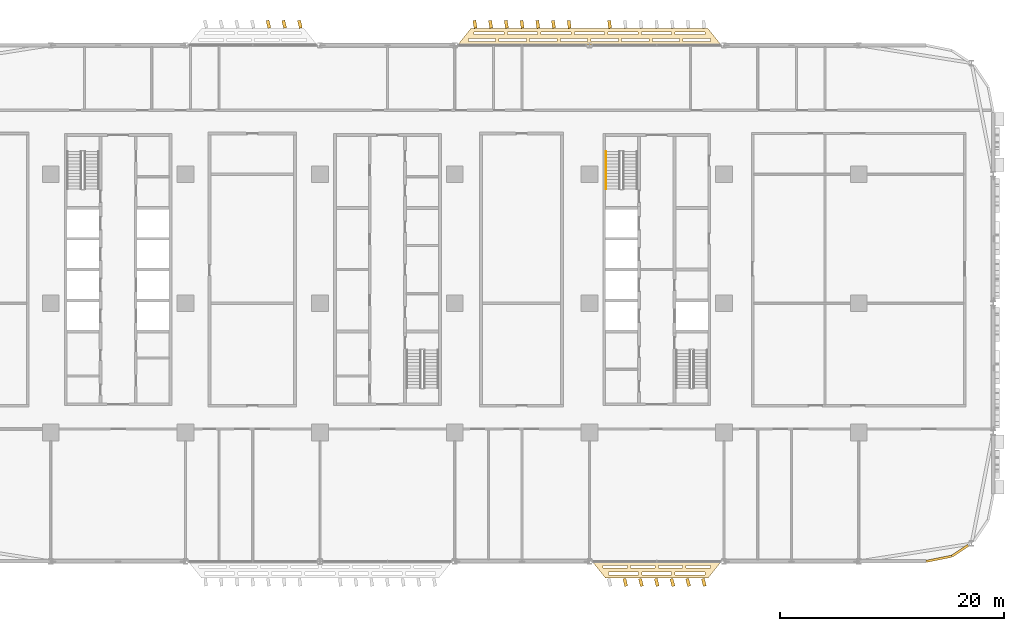
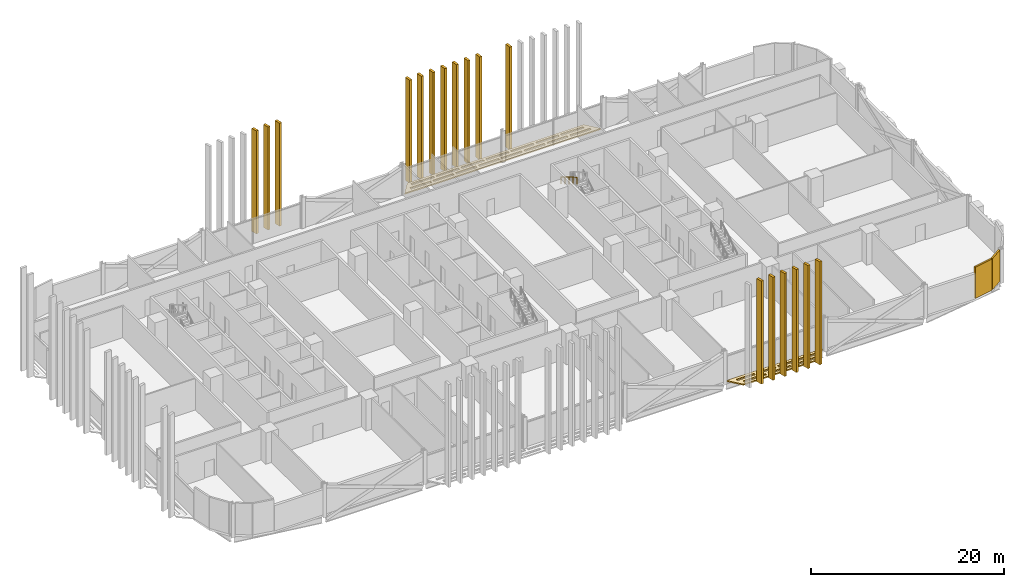
# One storey, part 27 of 29: 21 coverings, 1 railing.
"""IFC4 building model written with IfcOpenShell, lengths in metres."""

from ifc_helpers import new_model, si_unit, direction, frame, origin, origin_2d, place, context, subcontext, project, spatial, polyline, rectangle, circle, outline, extrude, material, layer, layer_set, type_object, element, save


model = new_model("IFC4")

# Units and contexts
model_context = context("Model", 3, precision=1e-05, world=origin(), true_north=direction((0.0, 1.0)))
body_context = subcontext(model_context, "Body", "Model", "MODEL_VIEW")
ifc_project = project(units=[si_unit("LENGTHUNIT", "METRE"), si_unit("AREAUNIT", "SQUARE_METRE"), si_unit("VOLUMEUNIT", "CUBIC_METRE"), si_unit("PLANEANGLEUNIT", "RADIAN"), si_unit("MASSUNIT", "GRAM", prefix="KILO")], contexts=[model_context])

# Site, building, storey
site_placement = place(None, origin())
site = spatial("IfcSite", under=ifc_project, at=site_placement, CompositionType="ELEMENT")
building_placement = place(site_placement, origin())
building = spatial("IfcBuilding", under=site, at=building_placement, Name="Mahtab Terrace Research Tower", CompositionType="ELEMENT")
storey_placement = place(building_placement, frame((0.0, 0.0, 63.199951171875)))
storey = spatial("IfcBuildingStorey", under=building, at=storey_placement, Name="L14", CompositionType="ELEMENT", Elevation=63.199951171875)

# Coverings
ifc_material_1 = material(Name="Black aluminium cladding panel", Category="aluminium")
ifc_layer_1 = layer(ifc_material_1, 0.199951171875)
ifc_layer_set_1 = layer_set([ifc_layer_1], Name="Black metal corner cladding 200")
covering_type_1 = type_object("IfcCoveringType", Name="Black metal corner cladding 200", PredefinedType="CLADDING", material=ifc_layer_set_1)
covering_1_placement = place(storey_placement, frame((49.14794921875, -22.771484375, 0.0), z_axis=(0.0, 0.0, 1.0), x_axis=(0.980760981187, 0.195212442692, 0.0)))
element("IfcCovering", 1, at=covering_1_placement, inside=storey, type_object=covering_type_1, Name="Corner cladding L14 31", PredefinedType="CLADDING", context=body_context, shape_type="SweptSolid", body=[
    extrude(rectangle(XDim=2.30126953125, YDim=0.199951171875, at=origin_2d()), origin(), (0.0, 0.0, 1.0), 3.9599609375),
])
covering_2_placement = place(storey_placement, frame((51.0380859375, -22.047607421875, 0.0), z_axis=(0.0, 0.0, 1.0), x_axis=(0.831655794326, 0.555291490808, 0.0)))
element("IfcCovering", 2, at=covering_2_placement, inside=storey, type_object=covering_type_1, Name="Corner cladding L14 32", PredefinedType="CLADDING", context=body_context, shape_type="SweptSolid", body=[
    extrude(rectangle(XDim=1.74462890625, YDim=0.199951171875, at=origin_2d()), origin(), (0.0, 0.0, 1.0), 3.9599609375),
])
ifc_material_2 = material(Name="Black anodised aluminium", Category="aluminium")
ifc_layer_2 = layer(ifc_material_2, 0.14990234375)
ifc_layer_set_2 = layer_set([ifc_layer_2], Name="Horizontal sunshade band")
covering_type_2 = type_object("IfcCoveringType", Name="Horizontal sunshade band", PredefinedType="CLADDING", material=ifc_layer_set_2)
covering_3_placement = place(storey_placement, frame((0.0, 0.0, -0.14990234375)))
element("IfcCovering", 3, at=covering_3_placement, inside=storey, type_object=covering_type_2, Name="Sunshade band L14 5", PredefinedType="CLADDING", context=body_context, shape_type="SweptSolid", body=[
    extrude(outline(polyline([(29.761962890625, 23.0), (6.238037109375, 23.0), (7.43798828125, 24.5), (28.56201171875, 24.5), (29.761962890625, 23.0)]), holes=[polyline([(28.781982421875, 23.35009765625), (26.34912109375, 23.35009765625), (26.34912109375, 23.60009765625), (28.781982421875, 23.60009765625), (28.781982421875, 23.35009765625)]), polyline([(26.049072265625, 23.35009765625), (23.615966796875, 23.35009765625), (23.615966796875, 23.60009765625), (26.049072265625, 23.60009765625), (26.049072265625, 23.35009765625)]), polyline([(23.31591796875, 23.35009765625), (20.883056640625, 23.35009765625), (20.883056640625, 23.60009765625), (23.31591796875, 23.60009765625), (23.31591796875, 23.35009765625)]), polyline([(20.5830078125, 23.35009765625), (18.14990234375, 23.35009765625), (18.14990234375, 23.60009765625), (20.5830078125, 23.60009765625), (20.5830078125, 23.35009765625)]), polyline([(17.85009765625, 23.35009765625), (15.4169921875, 23.35009765625), (15.4169921875, 23.60009765625), (17.85009765625, 23.60009765625), (17.85009765625, 23.35009765625)]), polyline([(15.116943359375, 23.35009765625), (12.68408203125, 23.35009765625), (12.68408203125, 23.60009765625), (15.116943359375, 23.60009765625), (15.116943359375, 23.35009765625)]), polyline([(12.384033203125, 23.35009765625), (9.950927734375, 23.35009765625), (9.950927734375, 23.60009765625), (12.384033203125, 23.60009765625), (12.384033203125, 23.35009765625)]), polyline([(9.65087890625, 23.35009765625), (7.218017578125, 23.35009765625), (7.218017578125, 23.60009765625), (9.65087890625, 23.60009765625), (9.65087890625, 23.35009765625)]), polyline([(28.302001953125, 23.949951171875), (25.615966796875, 23.949951171875), (25.615966796875, 24.199951171875), (28.302001953125, 24.199951171875), (28.302001953125, 23.949951171875)]), polyline([(25.31591796875, 23.949951171875), (22.62890625, 23.949951171875), (22.62890625, 24.199951171875), (25.31591796875, 24.199951171875), (25.31591796875, 23.949951171875)]), polyline([(22.3291015625, 23.949951171875), (19.64306640625, 23.949951171875), (19.64306640625, 24.199951171875), (22.3291015625, 24.199951171875), (22.3291015625, 23.949951171875)]), polyline([(19.343017578125, 23.949951171875), (16.656982421875, 23.949951171875), (16.656982421875, 24.199951171875), (19.343017578125, 24.199951171875), (19.343017578125, 23.949951171875)]), polyline([(16.35693359375, 23.949951171875), (13.6708984375, 23.949951171875), (13.6708984375, 24.199951171875), (16.35693359375, 24.199951171875), (16.35693359375, 23.949951171875)]), polyline([(13.37109375, 23.949951171875), (10.68408203125, 23.949951171875), (10.68408203125, 24.199951171875), (13.37109375, 24.199951171875), (13.37109375, 23.949951171875)]), polyline([(10.384033203125, 23.949951171875), (7.697998046875, 23.949951171875), (7.697998046875, 24.199951171875), (10.384033203125, 24.199951171875), (10.384033203125, 23.949951171875)])]), origin(), (0.0, 0.0, 1.0), 0.14990234375),
])
covering_4_placement = place(storey_placement, frame((0.0, 0.0, -0.14990234375)))
element("IfcCovering", 4, at=covering_4_placement, inside=storey, type_object=covering_type_2, Name="Sunshade band L14 28", PredefinedType="CLADDING", context=body_context, shape_type="SweptSolid", body=[
    extrude(outline(polyline([(18.238037109375, -23.0), (29.761962890625, -23.0), (28.56201171875, -24.5), (19.43798828125, -24.5), (18.238037109375, -23.0)]), holes=[polyline([(19.218017578125, -23.35009765625), (21.384033203125, -23.35009765625), (21.384033203125, -23.60009765625), (19.218017578125, -23.60009765625), (19.218017578125, -23.35009765625)]), polyline([(21.68408203125, -23.35009765625), (23.85009765625, -23.35009765625), (23.85009765625, -23.60009765625), (21.68408203125, -23.60009765625), (21.68408203125, -23.35009765625)]), polyline([(24.14990234375, -23.35009765625), (26.31591796875, -23.35009765625), (26.31591796875, -23.60009765625), (24.14990234375, -23.60009765625), (24.14990234375, -23.35009765625)]), polyline([(26.615966796875, -23.35009765625), (28.781982421875, -23.35009765625), (28.781982421875, -23.60009765625), (26.615966796875, -23.60009765625), (26.615966796875, -23.35009765625)]), polyline([(19.697998046875, -23.949951171875), (22.365966796875, -23.949951171875), (22.365966796875, -24.199951171875), (19.697998046875, -24.199951171875), (19.697998046875, -23.949951171875)]), polyline([(22.666015625, -23.949951171875), (25.333984375, -23.949951171875), (25.333984375, -24.199951171875), (22.666015625, -24.199951171875), (22.666015625, -23.949951171875)]), polyline([(25.634033203125, -23.949951171875), (28.302001953125, -23.949951171875), (28.302001953125, -24.199951171875), (25.634033203125, -24.199951171875), (25.634033203125, -23.949951171875)])]), origin(), (0.0, 0.0, 1.0), 0.14990234375),
])

# Railing
ifc_material_3 = material(Name="Stainless steel AISI 304", Category="steel")
railing_type = type_object("IfcRailingType", Name="Stair handrail 900", PredefinedType="HANDRAIL", material=ifc_material_3)
railing_placement = place(storey_placement, frame((19.5, 13.534912109375, 2.3154296875)))
element("IfcRailing", 5, at=railing_placement, inside=storey, type_object=railing_type, Name="L14 ST3 stair handrail 2", PredefinedType="HANDRAIL", context=body_context, shape_type="SweptSolid", body=[
    extrude(circle(Radius=0.02392578125, at=origin_2d()), frame((0.0, 0.0, 0.8759765625), z_axis=(0.0, -0.861011212953, 0.508585972249), x_axis=(1.0, 0.0, 0.0)), (0.0, 0.0, 1.0), 3.90234375),
    extrude(circle(Radius=0.02099609375, at=origin_2d()), origin(), (0.0, 0.0, 1.0), 0.851806640625),
    extrude(circle(Radius=0.02099609375, at=origin_2d()), frame((0.0, -0.83984375, 0.49609375)), (0.0, 0.0, 1.0), 0.851806640625),
    extrude(circle(Radius=0.02099609375, at=origin_2d()), frame((0.0, -1.679931640625, 0.9921875)), (0.0, 0.0, 1.0), 0.851806640625),
    extrude(circle(Radius=0.02099609375, at=origin_2d()), frame((0.0, -2.52001953125, 1.488525390625)), (0.0, 0.0, 1.0), 0.851806640625),
    extrude(circle(Radius=0.02099609375, at=origin_2d()), frame((0.0, -3.35986328125, 1.984619140625)), (0.0, 0.0, 1.0), 0.851806640625),
])

# Coverings
ifc_material_4 = material(Name="Bronze anodised aluminium", Category="aluminium")
ifc_layer_3 = layer(ifc_material_4, 0.1201171875)
ifc_layer_set_3 = layer_set([ifc_layer_3], Name="Vertical fin 700")
covering_type_3 = type_object("IfcCoveringType", Name="Vertical fin 700", PredefinedType="CLADDING", material=ifc_layer_set_3)
for number, where, z_axis, x_axis, name in (
    (6, (19.800048828125, 24.864013671875, -0.14990234375), (0.0, 0.0, 1.0), (-0.993141528832, -0.116918363435, 0.0), "Fin L14 N7"),
    (7, (16.199951171875, 24.865478515625, -0.14990234375), (0.0, 0.0, 1.0), (-0.991281368707, -0.131762088833, 0.0), "Fin L14 N1"),
    (8, (14.800048828125, 24.865966796875, -0.14990234375), (0.0, 0.0, 1.0), (-0.990498036675, -0.137526867716, 0.0), "Fin L14 N2"),
    (9, (13.39990234375, 24.866455078125, -0.14990234375), (0.0, 0.0, 1.0), (-0.989681179966, -0.143286991809, 0.0), "Fin L14 N3"),
    (10, (12.0, 24.866943359375, -0.14990234375), (0.0, 0.0, 1.0), (-0.988830826226, -0.149042266169, 0.0), "Fin L14 N4"),
    (11, (10.60009765625, 24.867431640625, -0.14990234375), (0.0, 0.0, 1.0), (-0.987947004235, -0.154792496019, 0.0), "Fin L14 N5"),
    (12, (9.199951171875, 24.867919921875, -0.14990234375), (0.0, 0.0, 1.0), (-0.98702974391, -0.160537486702, 0.0), "Fin L14 N6"),
    (13, (7.800048828125, 24.868408203125, -0.14990234375), (0.0, 0.0, 1.0), (-0.986079076296, -0.166277043787, 0.0), "Fin L14 N7"),
    (14, (-7.800048828125, 24.872802734375, -0.14990234375), (0.0, 0.0, 1.0), (-0.973236201459, -0.22980708468, 0.0), "Fin L14 N1"),
    (15, (-9.199951171875, 24.873046875, -0.14990234375), (0.0, 0.0, 1.0), (-0.971882775364, -0.235465222381, 0.0), "Fin L14 N2"),
    (16, (-10.60009765625, 24.87353515625, -0.14990234375), (0.0, 0.0, 1.0), (-0.970496454648, -0.24111539046, 0.0), "Fin L14 N3"),
    (17, (21.199951171875, -24.873046875, -0.14990234375), (0.0, 0.0, 1.0), (0.971882775364, 0.235465222381, 0.0), "Fin L14 S2"),
    (18, (22.60009765625, -24.87353515625, -0.14990234375), (0.0, 0.0, 1.0), (0.970496454648, 0.24111539046, 0.0), "Fin L14 S3"),
    (19, (24.0, -24.873779296875, -0.14990234375), (0.0, 0.0, 1.0), (0.969077286228, 0.246757397695, 0.0), "Fin L14 S4"),
    (20, (25.39990234375, -24.8740234375, -0.14990234375), (0.0, 0.0, 1.0), (0.967625318147, 0.252391053092, 0.0), "Fin L14 S5"),
    (21, (26.800048828125, -24.874267578125, -0.14990234375), (0.0, 0.0, 1.0), (0.966140599544, 0.25801616599, 0.0), "Fin L14 S6"),
    (22, (28.199951171875, -24.87451171875, -0.14990234375), (0.0, 0.0, 1.0), (0.964623180667, 0.263632546017, 0.0), "Fin L14 S7"),
):
    element("IfcCovering", number, at=place(storey_placement, frame(where, z_axis=z_axis, x_axis=x_axis)), inside=storey, type_object=covering_type_3, Name=name, PredefinedType="CLADDING", context=body_context, shape_type="SweptSolid", body=[
        extrude(rectangle(XDim=0.280029296875, YDim=0.699951171875, at=origin_2d()), origin(), (0.0, 0.0, 1.0), 13.050048828125),
    ])

save(model, "model.ifc")
